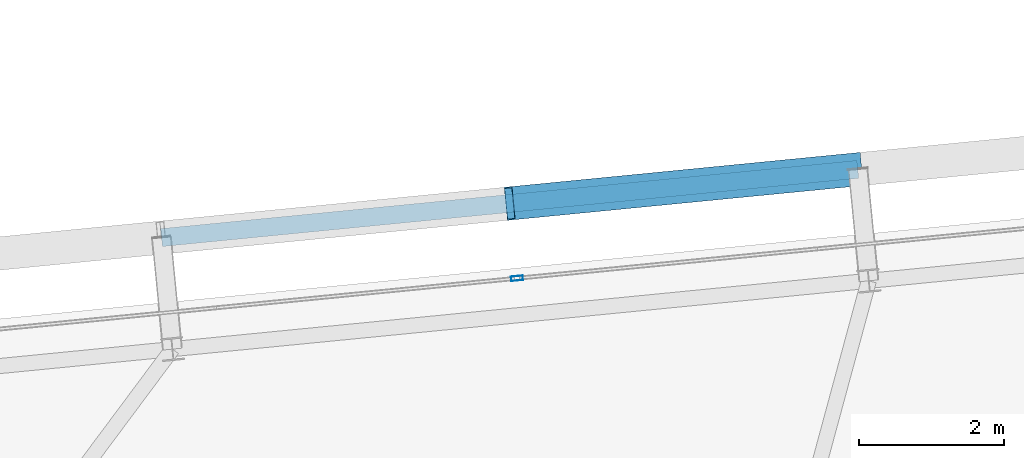
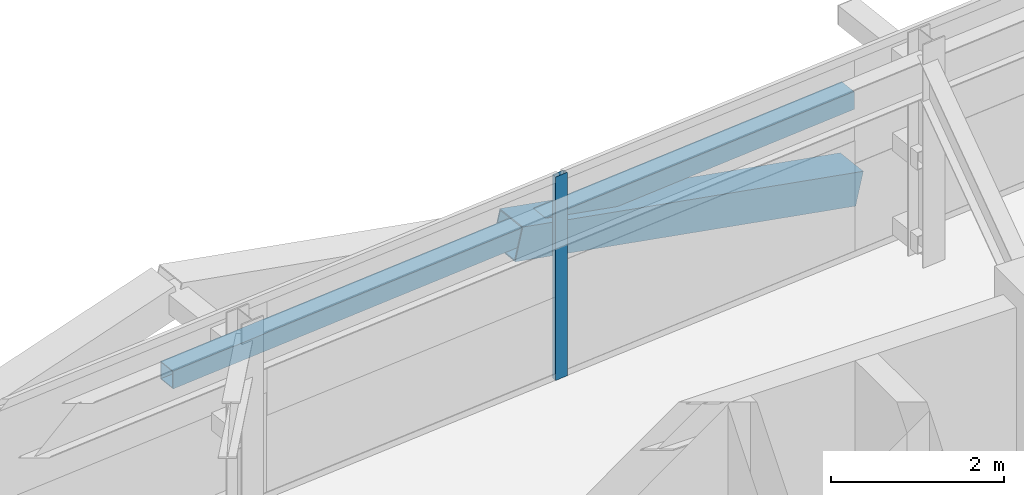
# One storey, part 27 of 47: 3 members, 1 element without a shape of its own.
"""IFC4 building model written with IfcOpenShell, lengths in metres."""

from ifc_helpers import new_model, si_unit, direction, frame, origin, origin_2d, place, context, subcontext, project, spatial, hollow_rectangle, extrude, source, transform, mapped, material, layer, layer_set, material_profile, profile_set, type_object, element, aggregate, save


model = new_model("IFC4")

# Units and contexts
model_context = context("Model", 3, precision=1e-05, world=origin(), true_north=direction((0.0, 1.0)))
body_context = subcontext(model_context, "Body", "Model", "MODEL_VIEW")
ifc_project = project(units=[si_unit("LENGTHUNIT", "METRE"), si_unit("AREAUNIT", "SQUARE_METRE"), si_unit("VOLUMEUNIT", "CUBIC_METRE"), si_unit("PLANEANGLEUNIT", "RADIAN"), si_unit("MASSUNIT", "GRAM", prefix="KILO")], contexts=[model_context])

# Site, building, storey
site_placement = place(None, origin())
site = spatial("IfcSite", under=ifc_project, at=site_placement, CompositionType="ELEMENT")
building_placement = place(site_placement, origin())
building = spatial("IfcBuilding", under=site, at=building_placement, Name="Taldren Reach Tower", CompositionType="ELEMENT")
storey_placement = place(building_placement, frame((0.0, 0.0, 109.199951171875)))
storey = spatial("IfcBuildingStorey", under=building, at=storey_placement, Name="L33", CompositionType="ELEMENT", Elevation=109.199951171875)

# Members
ifc_material_1 = material(Name="Steel Gr 350 (C350L0)", Category="steel")
ifc_material_profile_1 = material_profile(ifc_material_1, hollow_rectangle(XDim=0.25, YDim=0.25, WallThickness=0.010009765625, at=origin_2d()), Name="250x250x10.0SHS")
ifc_profile_set_1 = profile_set([ifc_material_profile_1], Name="Steel Gr 350 (C350L0)")
member_type_1 = type_object("IfcMemberType", Name="MB-POST250", PredefinedType="POST", material=ifc_profile_set_1)
shared_shape_1 = source(origin(), body_context, "Body", "SweptSolid", [
    extrude(hollow_rectangle(XDim=0.25, YDim=0.25, WallThickness=0.010009765625, at=origin_2d()), origin(), (0.0, 0.0, 1.0), 9.679931640625),
])
member_1_placement = place(storey_placement, frame((30.713134765625, 37.388671875, 1.405029296875), z_axis=(0.995227612658, 0.097580730699, 0.0), x_axis=(-0.097580730699, 0.995227612658, 0.0)))
element("IfcMember", 1, at=member_1_placement, inside=storey, type_object=member_type_1, Name="Exoskeleton mid-height ring chord B2-N3 L33", PredefinedType="POST", context=body_context, shape_type="MappedRepresentation", body=[
    mapped(shared_shape_1, transform((0.0, 0.0, 0.0), scale=1.0)),
])
ifc_material_2 = material(Name="Steel Gr 450 (C450L0)", Category="steel")
ifc_material_profile_2 = material_profile(ifc_material_2, hollow_rectangle(XDim=0.4599609375, YDim=0.4599609375, WallThickness=0.01611328125, at=origin_2d()), Name="460x460x16.0SHS")
ifc_profile_set_2 = profile_set([ifc_material_profile_2], Name="Steel Gr 450 (C450L0)")
member_type_2 = type_object("IfcMemberType", Name="MB-EXO457", PredefinedType="BRACE", material=ifc_profile_set_2)
shared_shape_2 = source(origin(), body_context, "Body", "SweptSolid", [
    extrude(hollow_rectangle(XDim=0.4599609375, YDim=0.4599609375, WallThickness=0.01611328125, at=origin_2d()), origin(), (0.0, 0.0, 1.0), 4.98291015625),
])
member_2_placement = place(storey_placement, frame((40.346923828125, 38.333251953125, 0.219970703125), z_axis=(-0.966675489194, -0.094756735738, 0.23782274833), x_axis=(0.097555749586, -0.995230061706, 0.0)))
element("IfcMember", 2, at=member_2_placement, inside=storey, type_object=member_type_2, Name="Exoskeleton Diagrid Brace B2-N3 L33", PredefinedType="BRACE", context=body_context, shape_type="MappedRepresentation", body=[
    mapped(shared_shape_2, transform((0.0, 0.0, 0.0), scale=1.0)),
])

# Curtain wall, member
ifc_material_3 = material(Name="Aluminium and Low-E Glass Unitised System", Category="aluminium")
ifc_layer = layer(ifc_material_3, 0.159912109375)
ifc_layer_set = layer_set([ifc_layer], Name="Aluminium and Low-E Glass Unitised System")
curtain_wall_type = type_object("IfcCurtainWallType", Name="CW-SYS-3", PredefinedType="NOTDEFINED", material=ifc_layer_set)
curtain_wall_placement = place(storey_placement, origin())
curtain_wall = element("IfcCurtainWall", 3, at=curtain_wall_placement, inside=storey, type_object=curtain_wall_type, Name="Unitised curtain wall CW-L33-N", PredefinedType="NOTDEFINED")
ifc_material_4 = material(Name="Anodised Aluminium 6063-T6", Category="aluminium")
ifc_material_profile_3 = material_profile(ifc_material_4, hollow_rectangle(XDim=0.06494140625, YDim=0.1650390625, WallThickness=0.00390625, at=origin_2d()), Name="ALU-165x65x4RHS")
ifc_profile_set_3 = profile_set([ifc_material_profile_3], Name="Anodised Aluminium 6063-T6")
member_type_3 = type_object("IfcMemberType", Name="CW-MUL-165", PredefinedType="MULLION", material=ifc_profile_set_3)
shared_shape_3 = source(origin(), body_context, "Body", "SweptSolid", [
    extrude(hollow_rectangle(XDim=0.06494140625, YDim=0.1650390625, WallThickness=0.00390625, at=origin_2d()), origin(), (0.0, 0.0, 1.0), 2.8701171875),
])
member_3_placement = place(storey_placement, frame((35.631591796875, 36.825927734375, 0.0), z_axis=(0.0, 0.0, 1.0), x_axis=(0.097582999046, -0.995227390247, 0.0)))
member_3 = element("IfcMember", 4, at=member_3_placement, type_object=member_type_3, Name="CW-3 mullion 3", PredefinedType="MULLION", context=body_context, shape_type="MappedRepresentation", body=[
    mapped(shared_shape_3, transform((0.0, 0.0, 0.0), scale=1.0)),
])
aggregate(curtain_wall, [member_3])

save(model, "model.ifc")
